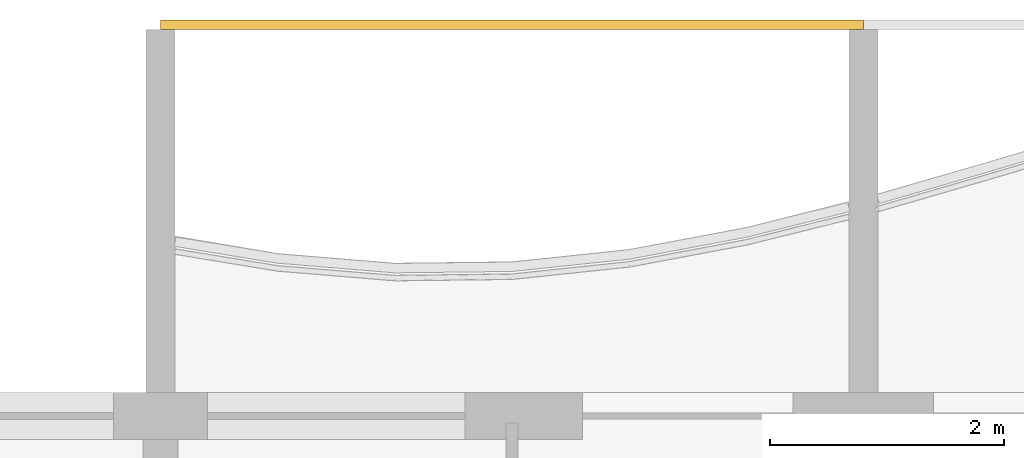
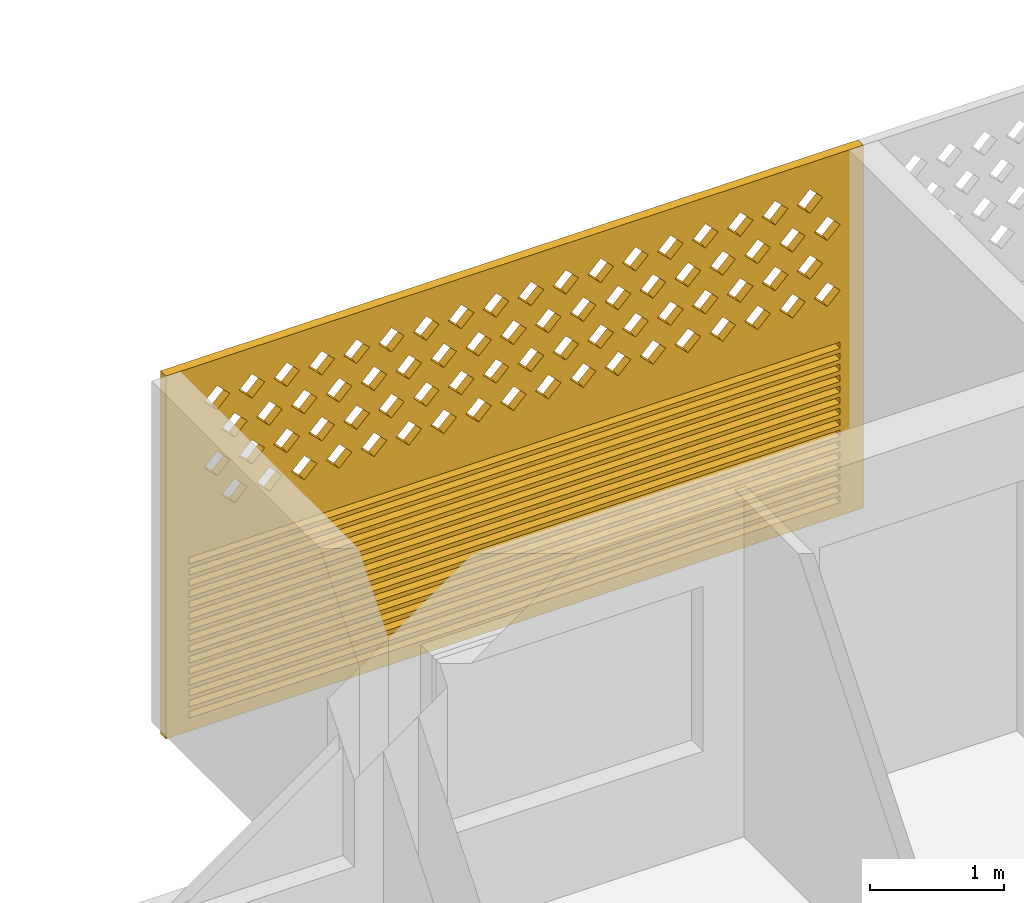
# One storey, part 23 of 31: 1 covering.
"""IFC4 building model written with IfcOpenShell, lengths in metres."""

from ifc_helpers import new_model, si_unit, direction, frame, origin, place, context, subcontext, project, spatial, polyline, outline, extrude, source, transform, mapped, material, material_profile, profile_set, type_object, element, save


model = new_model("IFC4")

# Units and contexts
model_context = context("Model", 3, precision=1e-05, world=origin(), true_north=direction((0.0, 1.0)))
body_context = subcontext(model_context, "Body", "Model", "MODEL_VIEW")
ifc_project = project(units=[si_unit("LENGTHUNIT", "METRE"), si_unit("AREAUNIT", "SQUARE_METRE"), si_unit("VOLUMEUNIT", "CUBIC_METRE"), si_unit("PLANEANGLEUNIT", "RADIAN"), si_unit("MASSUNIT", "GRAM", prefix="KILO")], contexts=[model_context])

# Site, building, storey
site_placement = place(None, origin())
site = spatial("IfcSite", under=ifc_project, at=site_placement, CompositionType="ELEMENT")
building_placement = place(site_placement, origin())
building = spatial("IfcBuilding", under=site, at=building_placement, Name="Poui Terraces", CompositionType="ELEMENT")
storey_placement = place(building_placement, frame((0.0, 0.0, 142.199951171875)))
storey = spatial("IfcBuildingStorey", under=building, at=storey_placement, Name="L39", CompositionType="ELEMENT", Elevation=142.199951171875)

# Covering
ifc_material = material(Name="Terracotta screen", Category="masonry")
ifc_material_profile = material_profile(ifc_material, outline(polyline([(-3.0, -1.64990234375), (3.0, -1.64990234375), (3.0, 1.64990234375), (-3.0, 1.64990234375), (-3.0, -1.64990234375)]), holes=[polyline([(-2.800048828125, 0.39990234375), (-2.68994140625, 0.2900390625), (-2.580078125, 0.39990234375), (-2.68994140625, 0.510009765625), (-2.800048828125, 0.39990234375)]), polyline([(-2.5, 0.39990234375), (-2.389892578125, 0.2900390625), (-2.280029296875, 0.39990234375), (-2.389892578125, 0.510009765625), (-2.5, 0.39990234375)]), polyline([(-2.199951171875, 0.39990234375), (-2.090087890625, 0.2900390625), (-1.97998046875, 0.39990234375), (-2.090087890625, 0.510009765625), (-2.199951171875, 0.39990234375)]), polyline([(-1.89990234375, 0.39990234375), (-1.7900390625, 0.2900390625), (-1.679931640625, 0.39990234375), (-1.7900390625, 0.510009765625), (-1.89990234375, 0.39990234375)]), polyline([(-1.60009765625, 0.39990234375), (-1.489990234375, 0.2900390625), (-1.3798828125, 0.39990234375), (-1.489990234375, 0.510009765625), (-1.60009765625, 0.39990234375)]), polyline([(-1.300048828125, 0.39990234375), (-1.18994140625, 0.2900390625), (-1.080078125, 0.39990234375), (-1.18994140625, 0.510009765625), (-1.300048828125, 0.39990234375)]), polyline([(-1.0, 0.39990234375), (-0.889892578125, 0.2900390625), (-0.780029296875, 0.39990234375), (-0.889892578125, 0.510009765625), (-1.0, 0.39990234375)]), polyline([(-0.699951171875, 0.39990234375), (-0.590087890625, 0.2900390625), (-0.47998046875, 0.39990234375), (-0.590087890625, 0.510009765625), (-0.699951171875, 0.39990234375)]), polyline([(-0.39990234375, 0.39990234375), (-0.2900390625, 0.2900390625), (-0.179931640625, 0.39990234375), (-0.2900390625, 0.510009765625), (-0.39990234375, 0.39990234375)]), polyline([(-0.10009765625, 0.39990234375), (0.010009765625, 0.2900390625), (0.1201171875, 0.39990234375), (0.010009765625, 0.510009765625), (-0.10009765625, 0.39990234375)]), polyline([(0.199951171875, 0.39990234375), (0.31005859375, 0.2900390625), (0.419921875, 0.39990234375), (0.31005859375, 0.510009765625), (0.199951171875, 0.39990234375)]), polyline([(0.5, 0.39990234375), (0.610107421875, 0.2900390625), (0.719970703125, 0.39990234375), (0.610107421875, 0.510009765625), (0.5, 0.39990234375)]), polyline([(0.800048828125, 0.39990234375), (0.909912109375, 0.2900390625), (1.02001953125, 0.39990234375), (0.909912109375, 0.510009765625), (0.800048828125, 0.39990234375)]), polyline([(1.10009765625, 0.39990234375), (1.2099609375, 0.2900390625), (1.320068359375, 0.39990234375), (1.2099609375, 0.510009765625), (1.10009765625, 0.39990234375)]), polyline([(1.39990234375, 0.39990234375), (1.510009765625, 0.2900390625), (1.6201171875, 0.39990234375), (1.510009765625, 0.510009765625), (1.39990234375, 0.39990234375)]), polyline([(1.699951171875, 0.39990234375), (1.81005859375, 0.2900390625), (1.919921875, 0.39990234375), (1.81005859375, 0.510009765625), (1.699951171875, 0.39990234375)]), polyline([(2.0, 0.39990234375), (2.110107421875, 0.2900390625), (2.219970703125, 0.39990234375), (2.110107421875, 0.510009765625), (2.0, 0.39990234375)]), polyline([(2.300048828125, 0.39990234375), (2.409912109375, 0.2900390625), (2.52001953125, 0.39990234375), (2.409912109375, 0.510009765625), (2.300048828125, 0.39990234375)]), polyline([(-2.64990234375, 0.699951171875), (-2.5400390625, 0.590087890625), (-2.429931640625, 0.699951171875), (-2.5400390625, 0.81005859375), (-2.64990234375, 0.699951171875)]), polyline([(-2.35009765625, 0.699951171875), (-2.239990234375, 0.590087890625), (-2.1298828125, 0.699951171875), (-2.239990234375, 0.81005859375), (-2.35009765625, 0.699951171875)]), polyline([(-2.050048828125, 0.699951171875), (-1.93994140625, 0.590087890625), (-1.830078125, 0.699951171875), (-1.93994140625, 0.81005859375), (-2.050048828125, 0.699951171875)]), polyline([(-1.75, 0.699951171875), (-1.639892578125, 0.590087890625), (-1.530029296875, 0.699951171875), (-1.639892578125, 0.81005859375), (-1.75, 0.699951171875)]), polyline([(-1.449951171875, 0.699951171875), (-1.340087890625, 0.590087890625), (-1.22998046875, 0.699951171875), (-1.340087890625, 0.81005859375), (-1.449951171875, 0.699951171875)]), polyline([(-1.14990234375, 0.699951171875), (-1.0400390625, 0.590087890625), (-0.929931640625, 0.699951171875), (-1.0400390625, 0.81005859375), (-1.14990234375, 0.699951171875)]), polyline([(-0.85009765625, 0.699951171875), (-0.739990234375, 0.590087890625), (-0.6298828125, 0.699951171875), (-0.739990234375, 0.81005859375), (-0.85009765625, 0.699951171875)]), polyline([(-0.550048828125, 0.699951171875), (-0.43994140625, 0.590087890625), (-0.330078125, 0.699951171875), (-0.43994140625, 0.81005859375), (-0.550048828125, 0.699951171875)]), polyline([(-0.25, 0.699951171875), (-0.139892578125, 0.590087890625), (-0.030029296875, 0.699951171875), (-0.139892578125, 0.81005859375), (-0.25, 0.699951171875)]), polyline([(0.050048828125, 0.699951171875), (0.159912109375, 0.590087890625), (0.27001953125, 0.699951171875), (0.159912109375, 0.81005859375), (0.050048828125, 0.699951171875)]), polyline([(0.35009765625, 0.699951171875), (0.4599609375, 0.590087890625), (0.570068359375, 0.699951171875), (0.4599609375, 0.81005859375), (0.35009765625, 0.699951171875)]), polyline([(0.64990234375, 0.699951171875), (0.760009765625, 0.590087890625), (0.8701171875, 0.699951171875), (0.760009765625, 0.81005859375), (0.64990234375, 0.699951171875)]), polyline([(0.949951171875, 0.699951171875), (1.06005859375, 0.590087890625), (1.169921875, 0.699951171875), (1.06005859375, 0.81005859375), (0.949951171875, 0.699951171875)]), polyline([(1.25, 0.699951171875), (1.360107421875, 0.590087890625), (1.469970703125, 0.699951171875), (1.360107421875, 0.81005859375), (1.25, 0.699951171875)]), polyline([(1.550048828125, 0.699951171875), (1.659912109375, 0.590087890625), (1.77001953125, 0.699951171875), (1.659912109375, 0.81005859375), (1.550048828125, 0.699951171875)]), polyline([(1.85009765625, 0.699951171875), (1.9599609375, 0.590087890625), (2.070068359375, 0.699951171875), (1.9599609375, 0.81005859375), (1.85009765625, 0.699951171875)]), polyline([(2.14990234375, 0.699951171875), (2.260009765625, 0.590087890625), (2.3701171875, 0.699951171875), (2.260009765625, 0.81005859375), (2.14990234375, 0.699951171875)]), polyline([(2.449951171875, 0.699951171875), (2.56005859375, 0.590087890625), (2.669921875, 0.699951171875), (2.56005859375, 0.81005859375), (2.449951171875, 0.699951171875)]), polyline([(-2.800048828125, 1.0), (-2.68994140625, 0.889892578125), (-2.580078125, 1.0), (-2.68994140625, 1.110107421875), (-2.800048828125, 1.0)]), polyline([(-2.5, 1.0), (-2.389892578125, 0.889892578125), (-2.280029296875, 1.0), (-2.389892578125, 1.110107421875), (-2.5, 1.0)]), polyline([(-2.199951171875, 1.0), (-2.090087890625, 0.889892578125), (-1.97998046875, 1.0), (-2.090087890625, 1.110107421875), (-2.199951171875, 1.0)]), polyline([(-1.89990234375, 1.0), (-1.7900390625, 0.889892578125), (-1.679931640625, 1.0), (-1.7900390625, 1.110107421875), (-1.89990234375, 1.0)]), polyline([(-1.60009765625, 1.0), (-1.489990234375, 0.889892578125), (-1.3798828125, 1.0), (-1.489990234375, 1.110107421875), (-1.60009765625, 1.0)]), polyline([(-1.300048828125, 1.0), (-1.18994140625, 0.889892578125), (-1.080078125, 1.0), (-1.18994140625, 1.110107421875), (-1.300048828125, 1.0)]), polyline([(-1.0, 1.0), (-0.889892578125, 0.889892578125), (-0.780029296875, 1.0), (-0.889892578125, 1.110107421875), (-1.0, 1.0)]), polyline([(-0.699951171875, 1.0), (-0.590087890625, 0.889892578125), (-0.47998046875, 1.0), (-0.590087890625, 1.110107421875), (-0.699951171875, 1.0)]), polyline([(-0.39990234375, 1.0), (-0.2900390625, 0.889892578125), (-0.179931640625, 1.0), (-0.2900390625, 1.110107421875), (-0.39990234375, 1.0)]), polyline([(-0.10009765625, 1.0), (0.010009765625, 0.889892578125), (0.1201171875, 1.0), (0.010009765625, 1.110107421875), (-0.10009765625, 1.0)]), polyline([(0.199951171875, 1.0), (0.31005859375, 0.889892578125), (0.419921875, 1.0), (0.31005859375, 1.110107421875), (0.199951171875, 1.0)]), polyline([(0.5, 1.0), (0.610107421875, 0.889892578125), (0.719970703125, 1.0), (0.610107421875, 1.110107421875), (0.5, 1.0)]), polyline([(0.800048828125, 1.0), (0.909912109375, 0.889892578125), (1.02001953125, 1.0), (0.909912109375, 1.110107421875), (0.800048828125, 1.0)]), polyline([(1.10009765625, 1.0), (1.2099609375, 0.889892578125), (1.320068359375, 1.0), (1.2099609375, 1.110107421875), (1.10009765625, 1.0)]), polyline([(1.39990234375, 1.0), (1.510009765625, 0.889892578125), (1.6201171875, 1.0), (1.510009765625, 1.110107421875), (1.39990234375, 1.0)]), polyline([(1.699951171875, 1.0), (1.81005859375, 0.889892578125), (1.919921875, 1.0), (1.81005859375, 1.110107421875), (1.699951171875, 1.0)]), polyline([(2.0, 1.0), (2.110107421875, 0.889892578125), (2.219970703125, 1.0), (2.110107421875, 1.110107421875), (2.0, 1.0)]), polyline([(2.300048828125, 1.0), (2.409912109375, 0.889892578125), (2.52001953125, 1.0), (2.409912109375, 1.110107421875), (2.300048828125, 1.0)]), polyline([(-2.64990234375, 1.300048828125), (-2.5400390625, 1.18994140625), (-2.429931640625, 1.300048828125), (-2.5400390625, 1.409912109375), (-2.64990234375, 1.300048828125)]), polyline([(-2.35009765625, 1.300048828125), (-2.239990234375, 1.18994140625), (-2.1298828125, 1.300048828125), (-2.239990234375, 1.409912109375), (-2.35009765625, 1.300048828125)]), polyline([(-2.050048828125, 1.300048828125), (-1.93994140625, 1.18994140625), (-1.830078125, 1.300048828125), (-1.93994140625, 1.409912109375), (-2.050048828125, 1.300048828125)]), polyline([(-1.75, 1.300048828125), (-1.639892578125, 1.18994140625), (-1.530029296875, 1.300048828125), (-1.639892578125, 1.409912109375), (-1.75, 1.300048828125)]), polyline([(-1.449951171875, 1.300048828125), (-1.340087890625, 1.18994140625), (-1.22998046875, 1.300048828125), (-1.340087890625, 1.409912109375), (-1.449951171875, 1.300048828125)]), polyline([(-1.14990234375, 1.300048828125), (-1.0400390625, 1.18994140625), (-0.929931640625, 1.300048828125), (-1.0400390625, 1.409912109375), (-1.14990234375, 1.300048828125)]), polyline([(-0.85009765625, 1.300048828125), (-0.739990234375, 1.18994140625), (-0.6298828125, 1.300048828125), (-0.739990234375, 1.409912109375), (-0.85009765625, 1.300048828125)]), polyline([(-0.550048828125, 1.300048828125), (-0.43994140625, 1.18994140625), (-0.330078125, 1.300048828125), (-0.43994140625, 1.409912109375), (-0.550048828125, 1.300048828125)]), polyline([(-0.25, 1.300048828125), (-0.139892578125, 1.18994140625), (-0.030029296875, 1.300048828125), (-0.139892578125, 1.409912109375), (-0.25, 1.300048828125)]), polyline([(0.050048828125, 1.300048828125), (0.159912109375, 1.18994140625), (0.27001953125, 1.300048828125), (0.159912109375, 1.409912109375), (0.050048828125, 1.300048828125)]), polyline([(0.35009765625, 1.300048828125), (0.4599609375, 1.18994140625), (0.570068359375, 1.300048828125), (0.4599609375, 1.409912109375), (0.35009765625, 1.300048828125)]), polyline([(0.64990234375, 1.300048828125), (0.760009765625, 1.18994140625), (0.8701171875, 1.300048828125), (0.760009765625, 1.409912109375), (0.64990234375, 1.300048828125)]), polyline([(0.949951171875, 1.300048828125), (1.06005859375, 1.18994140625), (1.169921875, 1.300048828125), (1.06005859375, 1.409912109375), (0.949951171875, 1.300048828125)]), polyline([(1.25, 1.300048828125), (1.360107421875, 1.18994140625), (1.469970703125, 1.300048828125), (1.360107421875, 1.409912109375), (1.25, 1.300048828125)]), polyline([(1.550048828125, 1.300048828125), (1.659912109375, 1.18994140625), (1.77001953125, 1.300048828125), (1.659912109375, 1.409912109375), (1.550048828125, 1.300048828125)]), polyline([(1.85009765625, 1.300048828125), (1.9599609375, 1.18994140625), (2.070068359375, 1.300048828125), (1.9599609375, 1.409912109375), (1.85009765625, 1.300048828125)]), polyline([(2.14990234375, 1.300048828125), (2.260009765625, 1.18994140625), (2.3701171875, 1.300048828125), (2.260009765625, 1.409912109375), (2.14990234375, 1.300048828125)]), polyline([(2.449951171875, 1.300048828125), (2.56005859375, 1.18994140625), (2.669921875, 1.300048828125), (2.56005859375, 1.409912109375), (2.449951171875, 1.300048828125)]), polyline([(-2.800048828125, -1.530029296875), (2.800048828125, -1.530029296875), (2.800048828125, -1.469970703125), (-2.800048828125, -1.469970703125), (-2.800048828125, -1.530029296875)]), polyline([(-2.800048828125, -1.429931640625), (2.800048828125, -1.429931640625), (2.800048828125, -1.3701171875), (-2.800048828125, -1.3701171875), (-2.800048828125, -1.429931640625)]), polyline([(-2.800048828125, -1.330078125), (2.800048828125, -1.330078125), (2.800048828125, -1.27001953125), (-2.800048828125, -1.27001953125), (-2.800048828125, -1.330078125)]), polyline([(-2.800048828125, -1.22998046875), (2.800048828125, -1.22998046875), (2.800048828125, -1.169921875), (-2.800048828125, -1.169921875), (-2.800048828125, -1.22998046875)]), polyline([(-2.800048828125, -1.1298828125), (2.800048828125, -1.1298828125), (2.800048828125, -1.070068359375), (-2.800048828125, -1.070068359375), (-2.800048828125, -1.1298828125)]), polyline([(-2.800048828125, -1.030029296875), (2.800048828125, -1.030029296875), (2.800048828125, -0.969970703125), (-2.800048828125, -0.969970703125), (-2.800048828125, -1.030029296875)]), polyline([(-2.800048828125, -0.929931640625), (2.800048828125, -0.929931640625), (2.800048828125, -0.8701171875), (-2.800048828125, -0.8701171875), (-2.800048828125, -0.929931640625)]), polyline([(-2.800048828125, -0.830078125), (2.800048828125, -0.830078125), (2.800048828125, -0.77001953125), (-2.800048828125, -0.77001953125), (-2.800048828125, -0.830078125)]), polyline([(-2.800048828125, -0.72998046875), (2.800048828125, -0.72998046875), (2.800048828125, -0.669921875), (-2.800048828125, -0.669921875), (-2.800048828125, -0.72998046875)]), polyline([(-2.800048828125, -0.6298828125), (2.800048828125, -0.6298828125), (2.800048828125, -0.570068359375), (-2.800048828125, -0.570068359375), (-2.800048828125, -0.6298828125)]), polyline([(-2.800048828125, -0.530029296875), (2.800048828125, -0.530029296875), (2.800048828125, -0.469970703125), (-2.800048828125, -0.469970703125), (-2.800048828125, -0.530029296875)]), polyline([(-2.800048828125, -0.429931640625), (2.800048828125, -0.429931640625), (2.800048828125, -0.3701171875), (-2.800048828125, -0.3701171875), (-2.800048828125, -0.429931640625)]), polyline([(-2.800048828125, -0.330078125), (2.800048828125, -0.330078125), (2.800048828125, -0.27001953125), (-2.800048828125, -0.27001953125), (-2.800048828125, -0.330078125)]), polyline([(-2.800048828125, -0.22998046875), (2.800048828125, -0.22998046875), (2.800048828125, -0.169921875), (-2.800048828125, -0.169921875), (-2.800048828125, -0.22998046875)]), polyline([(-2.800048828125, -0.1298828125), (2.800048828125, -0.1298828125), (2.800048828125, -0.070068359375), (-2.800048828125, -0.070068359375), (-2.800048828125, -0.1298828125)])]), Name="TERRACOTTA SCREEN AND JALOUSIE LOUVRE 6000X3300")
ifc_profile_set = profile_set([ifc_material_profile], Name="Terracotta screen")
covering_type = type_object("IfcCoveringType", Name="TERRACOTTA SCREEN AND JALOUSIE LOUVRE 6000X3300", PredefinedType="CLADDING", material=ifc_profile_set)
shared_shape = source(origin(), body_context, "Body", "SweptSolid", [
    extrude(outline(polyline([(-3.0, -1.64990234375), (3.0, -1.64990234375), (3.0, 1.64990234375), (-3.0, 1.64990234375), (-3.0, -1.64990234375)]), holes=[polyline([(-2.800048828125, 0.39990234375), (-2.68994140625, 0.2900390625), (-2.580078125, 0.39990234375), (-2.68994140625, 0.510009765625), (-2.800048828125, 0.39990234375)]), polyline([(-2.5, 0.39990234375), (-2.389892578125, 0.2900390625), (-2.280029296875, 0.39990234375), (-2.389892578125, 0.510009765625), (-2.5, 0.39990234375)]), polyline([(-2.199951171875, 0.39990234375), (-2.090087890625, 0.2900390625), (-1.97998046875, 0.39990234375), (-2.090087890625, 0.510009765625), (-2.199951171875, 0.39990234375)]), polyline([(-1.89990234375, 0.39990234375), (-1.7900390625, 0.2900390625), (-1.679931640625, 0.39990234375), (-1.7900390625, 0.510009765625), (-1.89990234375, 0.39990234375)]), polyline([(-1.60009765625, 0.39990234375), (-1.489990234375, 0.2900390625), (-1.3798828125, 0.39990234375), (-1.489990234375, 0.510009765625), (-1.60009765625, 0.39990234375)]), polyline([(-1.300048828125, 0.39990234375), (-1.18994140625, 0.2900390625), (-1.080078125, 0.39990234375), (-1.18994140625, 0.510009765625), (-1.300048828125, 0.39990234375)]), polyline([(-1.0, 0.39990234375), (-0.889892578125, 0.2900390625), (-0.780029296875, 0.39990234375), (-0.889892578125, 0.510009765625), (-1.0, 0.39990234375)]), polyline([(-0.699951171875, 0.39990234375), (-0.590087890625, 0.2900390625), (-0.47998046875, 0.39990234375), (-0.590087890625, 0.510009765625), (-0.699951171875, 0.39990234375)]), polyline([(-0.39990234375, 0.39990234375), (-0.2900390625, 0.2900390625), (-0.179931640625, 0.39990234375), (-0.2900390625, 0.510009765625), (-0.39990234375, 0.39990234375)]), polyline([(-0.10009765625, 0.39990234375), (0.010009765625, 0.2900390625), (0.1201171875, 0.39990234375), (0.010009765625, 0.510009765625), (-0.10009765625, 0.39990234375)]), polyline([(0.199951171875, 0.39990234375), (0.31005859375, 0.2900390625), (0.419921875, 0.39990234375), (0.31005859375, 0.510009765625), (0.199951171875, 0.39990234375)]), polyline([(0.5, 0.39990234375), (0.610107421875, 0.2900390625), (0.719970703125, 0.39990234375), (0.610107421875, 0.510009765625), (0.5, 0.39990234375)]), polyline([(0.800048828125, 0.39990234375), (0.909912109375, 0.2900390625), (1.02001953125, 0.39990234375), (0.909912109375, 0.510009765625), (0.800048828125, 0.39990234375)]), polyline([(1.10009765625, 0.39990234375), (1.2099609375, 0.2900390625), (1.320068359375, 0.39990234375), (1.2099609375, 0.510009765625), (1.10009765625, 0.39990234375)]), polyline([(1.39990234375, 0.39990234375), (1.510009765625, 0.2900390625), (1.6201171875, 0.39990234375), (1.510009765625, 0.510009765625), (1.39990234375, 0.39990234375)]), polyline([(1.699951171875, 0.39990234375), (1.81005859375, 0.2900390625), (1.919921875, 0.39990234375), (1.81005859375, 0.510009765625), (1.699951171875, 0.39990234375)]), polyline([(2.0, 0.39990234375), (2.110107421875, 0.2900390625), (2.219970703125, 0.39990234375), (2.110107421875, 0.510009765625), (2.0, 0.39990234375)]), polyline([(2.300048828125, 0.39990234375), (2.409912109375, 0.2900390625), (2.52001953125, 0.39990234375), (2.409912109375, 0.510009765625), (2.300048828125, 0.39990234375)]), polyline([(-2.64990234375, 0.699951171875), (-2.5400390625, 0.590087890625), (-2.429931640625, 0.699951171875), (-2.5400390625, 0.81005859375), (-2.64990234375, 0.699951171875)]), polyline([(-2.35009765625, 0.699951171875), (-2.239990234375, 0.590087890625), (-2.1298828125, 0.699951171875), (-2.239990234375, 0.81005859375), (-2.35009765625, 0.699951171875)]), polyline([(-2.050048828125, 0.699951171875), (-1.93994140625, 0.590087890625), (-1.830078125, 0.699951171875), (-1.93994140625, 0.81005859375), (-2.050048828125, 0.699951171875)]), polyline([(-1.75, 0.699951171875), (-1.639892578125, 0.590087890625), (-1.530029296875, 0.699951171875), (-1.639892578125, 0.81005859375), (-1.75, 0.699951171875)]), polyline([(-1.449951171875, 0.699951171875), (-1.340087890625, 0.590087890625), (-1.22998046875, 0.699951171875), (-1.340087890625, 0.81005859375), (-1.449951171875, 0.699951171875)]), polyline([(-1.14990234375, 0.699951171875), (-1.0400390625, 0.590087890625), (-0.929931640625, 0.699951171875), (-1.0400390625, 0.81005859375), (-1.14990234375, 0.699951171875)]), polyline([(-0.85009765625, 0.699951171875), (-0.739990234375, 0.590087890625), (-0.6298828125, 0.699951171875), (-0.739990234375, 0.81005859375), (-0.85009765625, 0.699951171875)]), polyline([(-0.550048828125, 0.699951171875), (-0.43994140625, 0.590087890625), (-0.330078125, 0.699951171875), (-0.43994140625, 0.81005859375), (-0.550048828125, 0.699951171875)]), polyline([(-0.25, 0.699951171875), (-0.139892578125, 0.590087890625), (-0.030029296875, 0.699951171875), (-0.139892578125, 0.81005859375), (-0.25, 0.699951171875)]), polyline([(0.050048828125, 0.699951171875), (0.159912109375, 0.590087890625), (0.27001953125, 0.699951171875), (0.159912109375, 0.81005859375), (0.050048828125, 0.699951171875)]), polyline([(0.35009765625, 0.699951171875), (0.4599609375, 0.590087890625), (0.570068359375, 0.699951171875), (0.4599609375, 0.81005859375), (0.35009765625, 0.699951171875)]), polyline([(0.64990234375, 0.699951171875), (0.760009765625, 0.590087890625), (0.8701171875, 0.699951171875), (0.760009765625, 0.81005859375), (0.64990234375, 0.699951171875)]), polyline([(0.949951171875, 0.699951171875), (1.06005859375, 0.590087890625), (1.169921875, 0.699951171875), (1.06005859375, 0.81005859375), (0.949951171875, 0.699951171875)]), polyline([(1.25, 0.699951171875), (1.360107421875, 0.590087890625), (1.469970703125, 0.699951171875), (1.360107421875, 0.81005859375), (1.25, 0.699951171875)]), polyline([(1.550048828125, 0.699951171875), (1.659912109375, 0.590087890625), (1.77001953125, 0.699951171875), (1.659912109375, 0.81005859375), (1.550048828125, 0.699951171875)]), polyline([(1.85009765625, 0.699951171875), (1.9599609375, 0.590087890625), (2.070068359375, 0.699951171875), (1.9599609375, 0.81005859375), (1.85009765625, 0.699951171875)]), polyline([(2.14990234375, 0.699951171875), (2.260009765625, 0.590087890625), (2.3701171875, 0.699951171875), (2.260009765625, 0.81005859375), (2.14990234375, 0.699951171875)]), polyline([(2.449951171875, 0.699951171875), (2.56005859375, 0.590087890625), (2.669921875, 0.699951171875), (2.56005859375, 0.81005859375), (2.449951171875, 0.699951171875)]), polyline([(-2.800048828125, 1.0), (-2.68994140625, 0.889892578125), (-2.580078125, 1.0), (-2.68994140625, 1.110107421875), (-2.800048828125, 1.0)]), polyline([(-2.5, 1.0), (-2.389892578125, 0.889892578125), (-2.280029296875, 1.0), (-2.389892578125, 1.110107421875), (-2.5, 1.0)]), polyline([(-2.199951171875, 1.0), (-2.090087890625, 0.889892578125), (-1.97998046875, 1.0), (-2.090087890625, 1.110107421875), (-2.199951171875, 1.0)]), polyline([(-1.89990234375, 1.0), (-1.7900390625, 0.889892578125), (-1.679931640625, 1.0), (-1.7900390625, 1.110107421875), (-1.89990234375, 1.0)]), polyline([(-1.60009765625, 1.0), (-1.489990234375, 0.889892578125), (-1.3798828125, 1.0), (-1.489990234375, 1.110107421875), (-1.60009765625, 1.0)]), polyline([(-1.300048828125, 1.0), (-1.18994140625, 0.889892578125), (-1.080078125, 1.0), (-1.18994140625, 1.110107421875), (-1.300048828125, 1.0)]), polyline([(-1.0, 1.0), (-0.889892578125, 0.889892578125), (-0.780029296875, 1.0), (-0.889892578125, 1.110107421875), (-1.0, 1.0)]), polyline([(-0.699951171875, 1.0), (-0.590087890625, 0.889892578125), (-0.47998046875, 1.0), (-0.590087890625, 1.110107421875), (-0.699951171875, 1.0)]), polyline([(-0.39990234375, 1.0), (-0.2900390625, 0.889892578125), (-0.179931640625, 1.0), (-0.2900390625, 1.110107421875), (-0.39990234375, 1.0)]), polyline([(-0.10009765625, 1.0), (0.010009765625, 0.889892578125), (0.1201171875, 1.0), (0.010009765625, 1.110107421875), (-0.10009765625, 1.0)]), polyline([(0.199951171875, 1.0), (0.31005859375, 0.889892578125), (0.419921875, 1.0), (0.31005859375, 1.110107421875), (0.199951171875, 1.0)]), polyline([(0.5, 1.0), (0.610107421875, 0.889892578125), (0.719970703125, 1.0), (0.610107421875, 1.110107421875), (0.5, 1.0)]), polyline([(0.800048828125, 1.0), (0.909912109375, 0.889892578125), (1.02001953125, 1.0), (0.909912109375, 1.110107421875), (0.800048828125, 1.0)]), polyline([(1.10009765625, 1.0), (1.2099609375, 0.889892578125), (1.320068359375, 1.0), (1.2099609375, 1.110107421875), (1.10009765625, 1.0)]), polyline([(1.39990234375, 1.0), (1.510009765625, 0.889892578125), (1.6201171875, 1.0), (1.510009765625, 1.110107421875), (1.39990234375, 1.0)]), polyline([(1.699951171875, 1.0), (1.81005859375, 0.889892578125), (1.919921875, 1.0), (1.81005859375, 1.110107421875), (1.699951171875, 1.0)]), polyline([(2.0, 1.0), (2.110107421875, 0.889892578125), (2.219970703125, 1.0), (2.110107421875, 1.110107421875), (2.0, 1.0)]), polyline([(2.300048828125, 1.0), (2.409912109375, 0.889892578125), (2.52001953125, 1.0), (2.409912109375, 1.110107421875), (2.300048828125, 1.0)]), polyline([(-2.64990234375, 1.300048828125), (-2.5400390625, 1.18994140625), (-2.429931640625, 1.300048828125), (-2.5400390625, 1.409912109375), (-2.64990234375, 1.300048828125)]), polyline([(-2.35009765625, 1.300048828125), (-2.239990234375, 1.18994140625), (-2.1298828125, 1.300048828125), (-2.239990234375, 1.409912109375), (-2.35009765625, 1.300048828125)]), polyline([(-2.050048828125, 1.300048828125), (-1.93994140625, 1.18994140625), (-1.830078125, 1.300048828125), (-1.93994140625, 1.409912109375), (-2.050048828125, 1.300048828125)]), polyline([(-1.75, 1.300048828125), (-1.639892578125, 1.18994140625), (-1.530029296875, 1.300048828125), (-1.639892578125, 1.409912109375), (-1.75, 1.300048828125)]), polyline([(-1.449951171875, 1.300048828125), (-1.340087890625, 1.18994140625), (-1.22998046875, 1.300048828125), (-1.340087890625, 1.409912109375), (-1.449951171875, 1.300048828125)]), polyline([(-1.14990234375, 1.300048828125), (-1.0400390625, 1.18994140625), (-0.929931640625, 1.300048828125), (-1.0400390625, 1.409912109375), (-1.14990234375, 1.300048828125)]), polyline([(-0.85009765625, 1.300048828125), (-0.739990234375, 1.18994140625), (-0.6298828125, 1.300048828125), (-0.739990234375, 1.409912109375), (-0.85009765625, 1.300048828125)]), polyline([(-0.550048828125, 1.300048828125), (-0.43994140625, 1.18994140625), (-0.330078125, 1.300048828125), (-0.43994140625, 1.409912109375), (-0.550048828125, 1.300048828125)]), polyline([(-0.25, 1.300048828125), (-0.139892578125, 1.18994140625), (-0.030029296875, 1.300048828125), (-0.139892578125, 1.409912109375), (-0.25, 1.300048828125)]), polyline([(0.050048828125, 1.300048828125), (0.159912109375, 1.18994140625), (0.27001953125, 1.300048828125), (0.159912109375, 1.409912109375), (0.050048828125, 1.300048828125)]), polyline([(0.35009765625, 1.300048828125), (0.4599609375, 1.18994140625), (0.570068359375, 1.300048828125), (0.4599609375, 1.409912109375), (0.35009765625, 1.300048828125)]), polyline([(0.64990234375, 1.300048828125), (0.760009765625, 1.18994140625), (0.8701171875, 1.300048828125), (0.760009765625, 1.409912109375), (0.64990234375, 1.300048828125)]), polyline([(0.949951171875, 1.300048828125), (1.06005859375, 1.18994140625), (1.169921875, 1.300048828125), (1.06005859375, 1.409912109375), (0.949951171875, 1.300048828125)]), polyline([(1.25, 1.300048828125), (1.360107421875, 1.18994140625), (1.469970703125, 1.300048828125), (1.360107421875, 1.409912109375), (1.25, 1.300048828125)]), polyline([(1.550048828125, 1.300048828125), (1.659912109375, 1.18994140625), (1.77001953125, 1.300048828125), (1.659912109375, 1.409912109375), (1.550048828125, 1.300048828125)]), polyline([(1.85009765625, 1.300048828125), (1.9599609375, 1.18994140625), (2.070068359375, 1.300048828125), (1.9599609375, 1.409912109375), (1.85009765625, 1.300048828125)]), polyline([(2.14990234375, 1.300048828125), (2.260009765625, 1.18994140625), (2.3701171875, 1.300048828125), (2.260009765625, 1.409912109375), (2.14990234375, 1.300048828125)]), polyline([(2.449951171875, 1.300048828125), (2.56005859375, 1.18994140625), (2.669921875, 1.300048828125), (2.56005859375, 1.409912109375), (2.449951171875, 1.300048828125)]), polyline([(-2.800048828125, -1.530029296875), (2.800048828125, -1.530029296875), (2.800048828125, -1.469970703125), (-2.800048828125, -1.469970703125), (-2.800048828125, -1.530029296875)]), polyline([(-2.800048828125, -1.429931640625), (2.800048828125, -1.429931640625), (2.800048828125, -1.3701171875), (-2.800048828125, -1.3701171875), (-2.800048828125, -1.429931640625)]), polyline([(-2.800048828125, -1.330078125), (2.800048828125, -1.330078125), (2.800048828125, -1.27001953125), (-2.800048828125, -1.27001953125), (-2.800048828125, -1.330078125)]), polyline([(-2.800048828125, -1.22998046875), (2.800048828125, -1.22998046875), (2.800048828125, -1.169921875), (-2.800048828125, -1.169921875), (-2.800048828125, -1.22998046875)]), polyline([(-2.800048828125, -1.1298828125), (2.800048828125, -1.1298828125), (2.800048828125, -1.070068359375), (-2.800048828125, -1.070068359375), (-2.800048828125, -1.1298828125)]), polyline([(-2.800048828125, -1.030029296875), (2.800048828125, -1.030029296875), (2.800048828125, -0.969970703125), (-2.800048828125, -0.969970703125), (-2.800048828125, -1.030029296875)]), polyline([(-2.800048828125, -0.929931640625), (2.800048828125, -0.929931640625), (2.800048828125, -0.8701171875), (-2.800048828125, -0.8701171875), (-2.800048828125, -0.929931640625)]), polyline([(-2.800048828125, -0.830078125), (2.800048828125, -0.830078125), (2.800048828125, -0.77001953125), (-2.800048828125, -0.77001953125), (-2.800048828125, -0.830078125)]), polyline([(-2.800048828125, -0.72998046875), (2.800048828125, -0.72998046875), (2.800048828125, -0.669921875), (-2.800048828125, -0.669921875), (-2.800048828125, -0.72998046875)]), polyline([(-2.800048828125, -0.6298828125), (2.800048828125, -0.6298828125), (2.800048828125, -0.570068359375), (-2.800048828125, -0.570068359375), (-2.800048828125, -0.6298828125)]), polyline([(-2.800048828125, -0.530029296875), (2.800048828125, -0.530029296875), (2.800048828125, -0.469970703125), (-2.800048828125, -0.469970703125), (-2.800048828125, -0.530029296875)]), polyline([(-2.800048828125, -0.429931640625), (2.800048828125, -0.429931640625), (2.800048828125, -0.3701171875), (-2.800048828125, -0.3701171875), (-2.800048828125, -0.429931640625)]), polyline([(-2.800048828125, -0.330078125), (2.800048828125, -0.330078125), (2.800048828125, -0.27001953125), (-2.800048828125, -0.27001953125), (-2.800048828125, -0.330078125)]), polyline([(-2.800048828125, -0.22998046875), (2.800048828125, -0.22998046875), (2.800048828125, -0.169921875), (-2.800048828125, -0.169921875), (-2.800048828125, -0.22998046875)]), polyline([(-2.800048828125, -0.1298828125), (2.800048828125, -0.1298828125), (2.800048828125, -0.070068359375), (-2.800048828125, -0.070068359375), (-2.800048828125, -0.1298828125)])]), origin(), (0.0, 0.0, 1.0), 0.080078125),
])
covering_placement = place(storey_placement, frame((51.0, 45.699951171875, 1.449951171875), z_axis=(0.0, 1.0, 0.0), x_axis=(-1.0, 0.0, 0.0)))
element("IfcCovering", 1, at=covering_placement, inside=storey, type_object=covering_type, Name="SOLAR SCREEN AND JALOUSIE LOUVRE", PredefinedType="CLADDING", context=body_context, shape_type="MappedRepresentation", body=[
    mapped(shared_shape, transform((0.0, 0.0, 0.0))),
])

save(model, "model.ifc")
